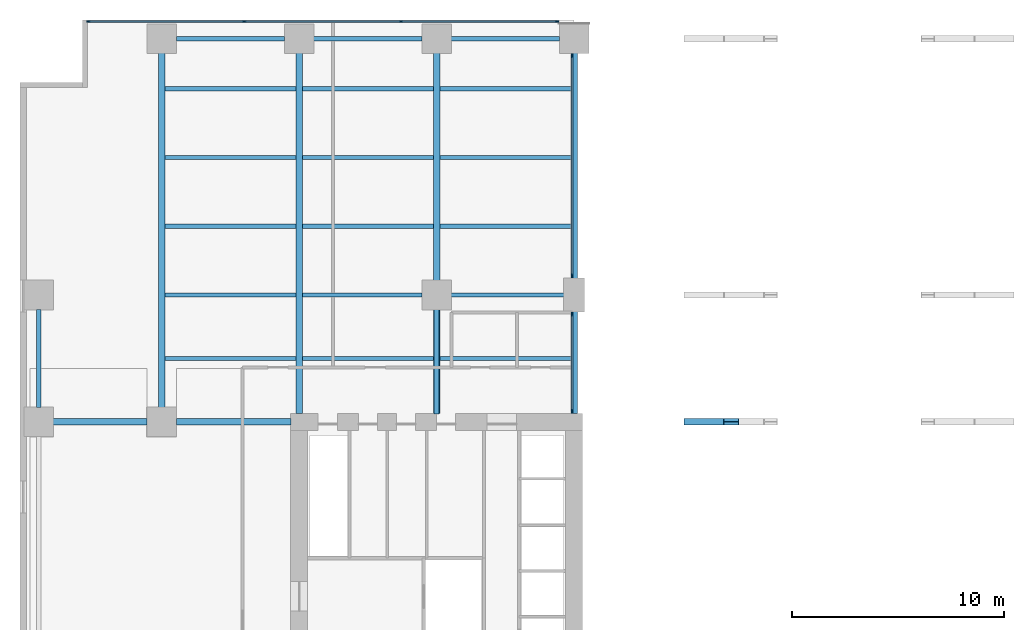
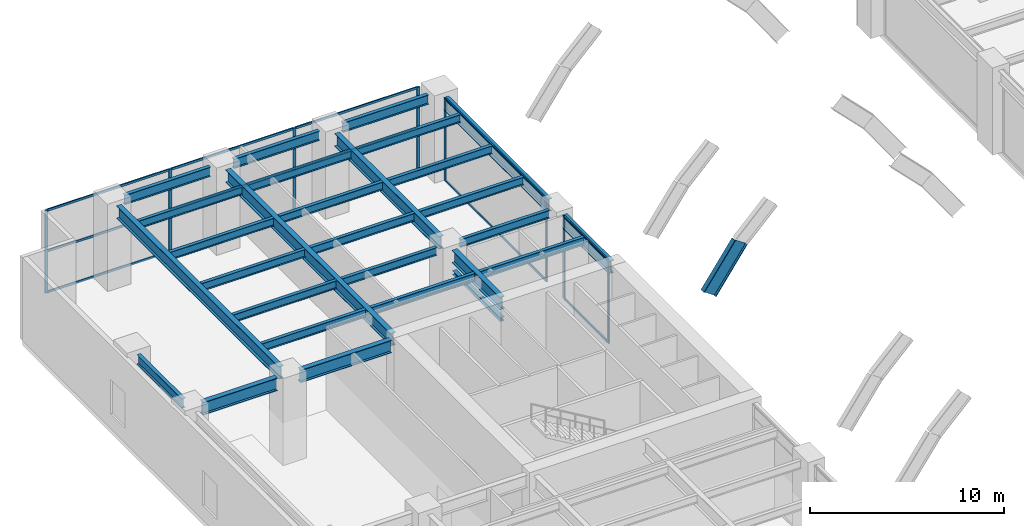
# One storey, part 5 of 18: 28 beams, 22 members, 3 elements without a shape of their own.
"""IFC4 building model written with IfcOpenShell, lengths in metres."""

from ifc_helpers import new_model, si_unit, direction, frame, origin, origin_2d, place, context, subcontext, project, spatial, rectangle, i_section, extrude, material, layer, layer_set, material_profile, profile_set, type_object, element, aggregate, save


model = new_model("IFC4")

# Units and contexts
model_context = context("Model", 3, precision=1e-05, world=origin(), true_north=direction((0.0, 1.0)))
body_context = subcontext(model_context, "Body", "Model", "MODEL_VIEW")
ifc_project = project(units=[si_unit("LENGTHUNIT", "METRE"), si_unit("AREAUNIT", "SQUARE_METRE"), si_unit("VOLUMEUNIT", "CUBIC_METRE"), si_unit("PLANEANGLEUNIT", "RADIAN"), si_unit("MASSUNIT", "GRAM", prefix="KILO")], contexts=[model_context])

# Site, building, storey
site_placement = place(None, origin())
site = spatial("IfcSite", under=ifc_project, at=site_placement, CompositionType="ELEMENT")
building_placement = place(site_placement, origin())
building = spatial("IfcBuilding", under=site, at=building_placement, Name="Putna Gate Headquarters", CompositionType="ELEMENT")
storey_placement = place(building_placement, frame((0.0, 0.0, 11.5)))
storey = spatial("IfcBuildingStorey", under=building, at=storey_placement, Name="L02", CompositionType="ELEMENT", Elevation=11.5)

# Beams
ifc_material_1 = material(Name="Steel S355J2", Category="steel")
ifc_material_profile_1 = material_profile(ifc_material_1, i_section(OverallWidth=0.300048828125, OverallDepth=0.800048828125, WebThickness=0.017578125, FlangeThickness=0.032958984375, at=origin_2d()), Name="Steel S355J2")
ifc_profile_set_1 = profile_set([ifc_material_profile_1], Name="Steel S355J2")
beam_type_1 = type_object("IfcBeamType", Name="BM-GIRD-P-HEB800", PredefinedType="USERDEFINED", material=ifc_profile_set_1)
beam_1_placement = place(storey_placement, frame((1.367919921875, 33.0, 4.820068359375), z_axis=(1.0, 0.0, 0.0), x_axis=(0.0, 1.0, 0.0)))
element("IfcBeam", 1, at=beam_1_placement, inside=storey, type_object=beam_type_1, Name="L02 West Wing Girder Y33-1", ObjectType="GIRDER", PredefinedType="USERDEFINED", context=body_context, shape_type="SweptSolid", body=[
    extrude(i_section(OverallWidth=0.300048828125, OverallDepth=0.800048828125, WebThickness=0.017578125, FlangeThickness=0.032958984375, at=origin_2d()), origin(), (0.0, 0.0, 1.0), 4.444091796875),
])
beam_2_placement = place(storey_placement, frame((7.18798828125, 33.0, 4.820068359375), z_axis=(1.0, 0.0, 0.0), x_axis=(0.0, 1.0, 0.0)))
element("IfcBeam", 2, at=beam_2_placement, inside=storey, type_object=beam_type_1, Name="L02 West Wing Girder Y33-2", ObjectType="GIRDER", PredefinedType="USERDEFINED", context=body_context, shape_type="SweptSolid", body=[
    extrude(i_section(OverallWidth=0.300048828125, OverallDepth=0.800048828125, WebThickness=0.017578125, FlangeThickness=0.032958984375, at=origin_2d()), origin(), (0.0, 0.0, 1.0), 5.427001953125),
])
beam_3_placement = place(storey_placement, frame((6.5, 33.68798828125, 4.820068359375), z_axis=(0.0, 1.0, 0.0), x_axis=(-1.0, 0.0, 0.0)))
element("IfcBeam", 3, at=beam_3_placement, inside=storey, type_object=beam_type_1, Name="L02 North Primary Girder X6", ObjectType="GIRDER", PredefinedType="USERDEFINED", context=body_context, shape_type="SweptSolid", body=[
    extrude(i_section(OverallWidth=0.300048828125, OverallDepth=0.800048828125, WebThickness=0.017578125, FlangeThickness=0.032958984375, at=origin_2d()), origin(), (0.0, 0.0, 1.0), 16.743896484375),
])
beam_4_placement = place(storey_placement, frame((13.0, 33.385009765625, 4.820068359375), z_axis=(0.0, 1.0, 0.0), x_axis=(-1.0, 0.0, 0.0)))
element("IfcBeam", 4, at=beam_4_placement, inside=storey, type_object=beam_type_1, Name="L02 North Primary Girder X13", ObjectType="GIRDER", PredefinedType="USERDEFINED", context=body_context, shape_type="SweptSolid", body=[
    extrude(i_section(OverallWidth=0.300048828125, OverallDepth=0.800048828125, WebThickness=0.017578125, FlangeThickness=0.032958984375, at=origin_2d()), origin(), (0.0, 0.0, 1.0), 17.046875),
])
beam_5_placement = place(storey_placement, frame((19.5, 33.385009765625, 4.820068359375), z_axis=(0.0, 1.0, 0.0), x_axis=(-1.0, 0.0, 0.0)))
element("IfcBeam", 5, at=beam_5_placement, inside=storey, type_object=beam_type_1, Name="L02 North Primary Girder X19-1", ObjectType="GIRDER", PredefinedType="USERDEFINED", context=body_context, shape_type="SweptSolid", body=[
    extrude(i_section(OverallWidth=0.300048828125, OverallDepth=0.800048828125, WebThickness=0.017578125, FlangeThickness=0.032958984375, at=origin_2d()), origin(), (0.0, 0.0, 1.0), 4.927001953125),
])
beam_6_placement = place(storey_placement, frame((19.5, 39.68798828125, 4.820068359375), z_axis=(0.0, 1.0, 0.0), x_axis=(-1.0, 0.0, 0.0)))
element("IfcBeam", 6, at=beam_6_placement, inside=storey, type_object=beam_type_1, Name="L02 North Primary Girder X19-2", ObjectType="GIRDER", PredefinedType="USERDEFINED", context=body_context, shape_type="SweptSolid", body=[
    extrude(i_section(OverallWidth=0.300048828125, OverallDepth=0.800048828125, WebThickness=0.017578125, FlangeThickness=0.032958984375, at=origin_2d()), origin(), (0.0, 0.0, 1.0), 10.743896484375),
])
beam_7_placement = place(storey_placement, frame((26.0, 33.385009765625, 4.820068359375), z_axis=(0.0, 1.0, 0.0), x_axis=(-1.0, 0.0, 0.0)))
element("IfcBeam", 7, at=beam_7_placement, inside=storey, type_object=beam_type_1, Name="L02 North Primary Girder X26-1", ObjectType="GIRDER", PredefinedType="USERDEFINED", context=body_context, shape_type="SweptSolid", body=[
    extrude(i_section(OverallWidth=0.300048828125, OverallDepth=0.800048828125, WebThickness=0.017578125, FlangeThickness=0.032958984375, at=origin_2d()), origin(), (0.0, 0.0, 1.0), 4.826904296875),
])
beam_8_placement = place(storey_placement, frame((26.0, 39.7880859375, 4.820068359375), z_axis=(0.0, 1.0, 0.0), x_axis=(-1.0, 0.0, 0.0)))
element("IfcBeam", 8, at=beam_8_placement, inside=storey, type_object=beam_type_1, Name="L02 North Primary Girder X26-2", ObjectType="GIRDER", PredefinedType="USERDEFINED", context=body_context, shape_type="SweptSolid", body=[
    extrude(i_section(OverallWidth=0.300048828125, OverallDepth=0.800048828125, WebThickness=0.017578125, FlangeThickness=0.032958984375, at=origin_2d()), origin(), (0.0, 0.0, 1.0), 10.643798828125),
])
ifc_material_profile_2 = material_profile(ifc_material_1, i_section(OverallWidth=0.239990234375, OverallDepth=0.239990234375, WebThickness=0.010009765625, FlangeThickness=0.01708984375, at=origin_2d()), Name="Steel S355J2")
ifc_profile_set_2 = profile_set([ifc_material_profile_2], Name="Steel S355J2")
beam_type_2 = type_object("IfcBeamType", Name="BM-LINTEL-HEB240", PredefinedType="LINTEL", material=ifc_profile_set_2)
beam_9_placement = place(storey_placement, frame((19.5, 33.3798828125, 3.800048828125), z_axis=(0.0, 1.0, 0.0), x_axis=(-1.0, 0.0, 0.0)))
element("IfcBeam", 9, at=beam_9_placement, inside=storey, type_object=beam_type_2, Name="L02 Core Spine Portal Header Lintel W", PredefinedType="LINTEL", context=body_context, shape_type="SweptSolid", body=[
    extrude(i_section(OverallWidth=0.239990234375, OverallDepth=0.239990234375, WebThickness=0.010009765625, FlangeThickness=0.01708984375, at=origin_2d()), origin(), (0.0, 0.0, 1.0), 4.940185546875),
])
ifc_material_profile_3 = material_profile(ifc_material_1, i_section(OverallWidth=0.199951171875, OverallDepth=0.5, WebThickness=0.01025390625, FlangeThickness=0.01611328125, at=origin_2d()), Name="Steel S355J2")
ifc_profile_set_3 = profile_set([ifc_material_profile_3], Name="Steel S355J2")
beam_type_3 = type_object("IfcBeamType", Name="BM-SEC-P-IPE500", PredefinedType="BEAM", material=ifc_profile_set_3)
for number, where, z_axis, x_axis, name in (
    (10, (6.654052734375, 36.0, 4.969970703125), (1.0, 0.0, 0.0), (0.0, 1.0, 0.0), "L02 North Secondary Beam 1"),
    (11, (6.654052734375, 39.0, 4.969970703125), (1.0, 0.0, 0.0), (0.0, 1.0, 0.0), "L02 North Secondary Beam 1"),
    (12, (6.654052734375, 42.25, 4.969970703125), (1.0, 0.0, 0.0), (0.0, 1.0, 0.0), "L02 North Secondary Beam 1"),
    (13, (6.654052734375, 45.5, 4.969970703125), (1.0, 0.0, 0.0), (0.0, 1.0, 0.0), "L02 North Secondary Beam 1"),
    (14, (6.654052734375, 48.75, 4.969970703125), (1.0, 0.0, 0.0), (0.0, 1.0, 0.0), "L02 North Secondary Beam 1"),
    (15, (13.154052734375, 36.0, 4.969970703125), (1.0, 0.0, 0.0), (0.0, 1.0, 0.0), "L02 North Secondary Beam 2"),
):
    element("IfcBeam", number, at=place(storey_placement, frame(where, z_axis=z_axis, x_axis=x_axis)), inside=storey, type_object=beam_type_3, Name=name, PredefinedType="BEAM", context=body_context, shape_type="SweptSolid", body=[
        extrude(i_section(OverallWidth=0.199951171875, OverallDepth=0.5, WebThickness=0.01025390625, FlangeThickness=0.01611328125, at=origin_2d()), origin(), (0.0, 0.0, 1.0), 6.19189453125),
    ])
beam_10_placement = place(storey_placement, frame((13.154052734375, 39.0, 4.969970703125), z_axis=(1.0, 0.0, 0.0), x_axis=(0.0, 1.0, 0.0)))
element("IfcBeam", 16, at=beam_10_placement, inside=storey, type_object=beam_type_3, Name="L02 North Secondary Beam 2", PredefinedType="BEAM", context=body_context, shape_type="SweptSolid", body=[
    extrude(i_section(OverallWidth=0.199951171875, OverallDepth=0.5, WebThickness=0.01025390625, FlangeThickness=0.01611328125, at=origin_2d()), origin(), (0.0, 0.0, 1.0), 5.657958984375),
])
for number, where, z_axis, x_axis, name in (
    (17, (13.154052734375, 42.25, 4.969970703125), (1.0, 0.0, 0.0), (0.0, 1.0, 0.0), "L02 North Secondary Beam 2"),
    (18, (13.154052734375, 45.5, 4.969970703125), (1.0, 0.0, 0.0), (0.0, 1.0, 0.0), "L02 North Secondary Beam 2"),
    (19, (13.154052734375, 48.75, 4.969970703125), (1.0, 0.0, 0.0), (0.0, 1.0, 0.0), "L02 North Secondary Beam 2"),
    (20, (19.654052734375, 36.0, 4.969970703125), (1.0, 0.0, 0.0), (0.0, 1.0, 0.0), "L02 North Secondary Beam 3"),
):
    element("IfcBeam", number, at=place(storey_placement, frame(where, z_axis=z_axis, x_axis=x_axis)), inside=storey, type_object=beam_type_3, Name=name, PredefinedType="BEAM", context=body_context, shape_type="SweptSolid", body=[
        extrude(i_section(OverallWidth=0.199951171875, OverallDepth=0.5, WebThickness=0.01025390625, FlangeThickness=0.01611328125, at=origin_2d()), origin(), (0.0, 0.0, 1.0), 6.19189453125),
    ])
beam_11_placement = place(storey_placement, frame((20.18798828125, 39.0, 4.969970703125), z_axis=(1.0, 0.0, 0.0), x_axis=(0.0, 1.0, 0.0)))
element("IfcBeam", 21, at=beam_11_placement, inside=storey, type_object=beam_type_3, Name="L02 North Secondary Beam 3", PredefinedType="BEAM", context=body_context, shape_type="SweptSolid", body=[
    extrude(i_section(OverallWidth=0.199951171875, OverallDepth=0.5, WebThickness=0.01025390625, FlangeThickness=0.01611328125, at=origin_2d()), origin(), (0.0, 0.0, 1.0), 5.323974609375),
])
for number, where, z_axis, x_axis, name in (
    (22, (19.654052734375, 42.25, 4.969970703125), (1.0, 0.0, 0.0), (0.0, 1.0, 0.0), "L02 North Secondary Beam 3"),
    (23, (19.654052734375, 45.5, 4.969970703125), (1.0, 0.0, 0.0), (0.0, 1.0, 0.0), "L02 North Secondary Beam 3"),
    (24, (19.654052734375, 48.75, 4.969970703125), (1.0, 0.0, 0.0), (0.0, 1.0, 0.0), "L02 North Secondary Beam 3"),
):
    element("IfcBeam", number, at=place(storey_placement, frame(where, z_axis=z_axis, x_axis=x_axis)), inside=storey, type_object=beam_type_3, Name=name, PredefinedType="BEAM", context=body_context, shape_type="SweptSolid", body=[
        extrude(i_section(OverallWidth=0.199951171875, OverallDepth=0.5, WebThickness=0.01025390625, FlangeThickness=0.01611328125, at=origin_2d()), origin(), (0.0, 0.0, 1.0), 6.19189453125),
    ])
ifc_material_profile_4 = material_profile(ifc_material_1, i_section(OverallWidth=0.219970703125, OverallDepth=0.60009765625, WebThickness=0.011962890625, FlangeThickness=0.01904296875, at=origin_2d()), Name="Steel S355J2")
ifc_profile_set_4 = profile_set([ifc_material_profile_4], Name="Steel S355J2")
beam_type_4 = type_object("IfcBeamType", Name="BM-SPAN-P-IPE600", PredefinedType="SPANDREL", material=ifc_profile_set_4)
for number, where, z_axis, x_axis, name in (
    (25, (7.18798828125, 51.1201171875, 4.919921875), (1.0, 0.0, 0.0), (0.0, 1.0, 0.0), "L02 N Perimeter Spandrel 1"),
    (26, (13.68798828125, 51.1201171875, 4.919921875), (1.0, 0.0, 0.0), (0.0, 1.0, 0.0), "L02 N Perimeter Spandrel 2"),
    (27, (20.18798828125, 51.1201171875, 4.919921875), (1.0, 0.0, 0.0), (0.0, 1.0, 0.0), "L02 N Perimeter Spandrel 3"),
):
    element("IfcBeam", number, at=place(storey_placement, frame(where, z_axis=z_axis, x_axis=x_axis)), inside=storey, type_object=beam_type_4, Name=name, PredefinedType="SPANDREL", context=body_context, shape_type="SweptSolid", body=[
        extrude(i_section(OverallWidth=0.219970703125, OverallDepth=0.60009765625, WebThickness=0.011962890625, FlangeThickness=0.01904296875, at=origin_2d()), origin(), (0.0, 0.0, 1.0), 5.1240234375),
    ])
beam_12_placement = place(storey_placement, frame((0.679931640625, 33.68798828125, 4.919921875), z_axis=(0.0, 1.0, 0.0), x_axis=(-1.0, 0.0, 0.0)))
element("IfcBeam", 28, at=beam_12_placement, inside=storey, type_object=beam_type_4, Name="L02 W End Spandrel 3", PredefinedType="SPANDREL", context=body_context, shape_type="SweptSolid", body=[
    extrude(i_section(OverallWidth=0.219970703125, OverallDepth=0.60009765625, WebThickness=0.011962890625, FlangeThickness=0.01904296875, at=origin_2d()), origin(), (0.0, 0.0, 1.0), 4.6240234375),
])

# Member
ifc_material_2 = material(Name="Steel S460M", Category="steel")
ifc_material_profile_5 = material_profile(ifc_material_2, i_section(OverallWidth=0.302001953125, OverallDepth=0.909912109375, WebThickness=0.02099609375, FlangeThickness=0.0400390625, at=origin_2d()), Name="Steel S460M")
ifc_profile_set_5 = profile_set([ifc_material_profile_5], Name="Steel S460M")
member_type_1 = type_object("IfcMemberType", Name="MEM-ARCH-CHORD-INT-HEM900", PredefinedType="STRUT", material=ifc_profile_set_5)
member_1_placement = place(storey_placement, frame((31.5712890625, 33.0, 1.44189453125), z_axis=(0.577111975732, 0.0, 0.816665027699), x_axis=(0.0, 1.0, 0.0)))
element("IfcMember", 29, at=member_1_placement, inside=storey, type_object=member_type_1, Name="Giant Parabolic Arch Chord AN-4", PredefinedType="STRUT", context=body_context, shape_type="SweptSolid", body=[
    extrude(i_section(OverallWidth=0.302001953125, OverallDepth=0.909912109375, WebThickness=0.02099609375, FlangeThickness=0.0400390625, at=origin_2d()), origin(), (0.0, 0.0, 1.0), 3.218505859375),
])

# Curtain wall, members
ifc_material_3 = material(Name="Anodised bronze aluminium curtain wall", Category="aluminium")
ifc_layer_1 = layer(ifc_material_3, 0.179931640625)
ifc_layer_set_1 = layer_set([ifc_layer_1], Name="Anodised bronze aluminium curtain wall")
curtain_wall_type_1 = type_object("IfcCurtainWallType", Name="CW-SYS-ATR", PredefinedType="USERDEFINED", material=ifc_layer_set_1)
curtain_wall_1_placement = place(storey_placement, origin())
curtain_wall_1 = element("IfcCurtainWall", 30, at=curtain_wall_1_placement, inside=storey, type_object=curtain_wall_type_1, Name="L02 Arch Flank Glazing W-N1", ObjectType="ATRIUM GLAZING", PredefinedType="USERDEFINED")
ifc_material_4 = material(Name="Anodised bronze aluminium EN AW-6060", Category="aluminium")
ifc_material_profile_6 = material_profile(ifc_material_4, rectangle(XDim=0.070068359375, YDim=0.179931640625, at=origin_2d()), Name="Anodised bronze aluminium EN AW-6060")
ifc_profile_set_6 = profile_set([ifc_material_profile_6], Name="Anodised bronze aluminium EN AW-6060")
member_type_2 = type_object("IfcMemberType", Name="MULL-CWM-AT", PredefinedType="MULLION", material=ifc_profile_set_6)
member_2_placement = place(storey_placement, frame((25.89990234375, 33.514892578125, 0.0), z_axis=(0.0, 0.0, 1.0), x_axis=(-1.0, 0.0, 0.0)))
member_2 = element("IfcMember", 31, at=member_2_placement, type_object=member_type_2, Name="CWS-AT mullion 1", PredefinedType="MULLION", context=body_context, shape_type="SweptSolid", body=[
    extrude(rectangle(XDim=0.070068359375, YDim=0.179931640625, at=origin_2d()), origin(), (0.0, 0.0, 1.0), 5.219970703125),
])
member_3_placement = place(storey_placement, frame((25.89990234375, 38.0849609375, 0.0), z_axis=(0.0, 0.0, 1.0), x_axis=(-1.0, 0.0, 0.0)))
member_3 = element("IfcMember", 32, at=member_3_placement, type_object=member_type_2, Name="CWS-AT mullion 2", PredefinedType="MULLION", context=body_context, shape_type="SweptSolid", body=[
    extrude(rectangle(XDim=0.070068359375, YDim=0.179931640625, at=origin_2d()), origin(), (0.0, 0.0, 1.0), 5.219970703125),
])

curtain_wall_2_placement = place(storey_placement, origin())
curtain_wall_2 = element("IfcCurtainWall", 33, at=curtain_wall_2_placement, inside=storey, type_object=curtain_wall_type_1, Name="L02 Arch Flank Glazing W-N2", ObjectType="ATRIUM GLAZING", PredefinedType="USERDEFINED")
member_4_placement = place(storey_placement, frame((25.89990234375, 39.9150390625, 0.0), z_axis=(0.0, 0.0, 1.0), x_axis=(-1.0, 0.0, 0.0)))
member_4 = element("IfcMember", 34, at=member_4_placement, type_object=member_type_2, Name="CWS-AT mullion 1", PredefinedType="MULLION", context=body_context, shape_type="SweptSolid", body=[
    extrude(rectangle(XDim=0.070068359375, YDim=0.179931640625, at=origin_2d()), origin(), (0.0, 0.0, 1.0), 5.219970703125),
])
member_5_placement = place(storey_placement, frame((25.89990234375, 50.31494140625, 0.0), z_axis=(0.0, 0.0, 1.0), x_axis=(-1.0, 0.0, 0.0)))
member_5 = element("IfcMember", 35, at=member_5_placement, type_object=member_type_2, Name="CWS-AT mullion 2", PredefinedType="MULLION", context=body_context, shape_type="SweptSolid", body=[
    extrude(rectangle(XDim=0.070068359375, YDim=0.179931640625, at=origin_2d()), origin(), (0.0, 0.0, 1.0), 5.219970703125),
])

ifc_layer_2 = layer(ifc_material_3, 0.179931640625)
ifc_layer_set_2 = layer_set([ifc_layer_2], Name="Anodised bronze aluminium curtain wall")
curtain_wall_type_2 = type_object("IfcCurtainWallType", Name="CW-SYS-POD", PredefinedType="USERDEFINED", material=ifc_layer_set_2)
curtain_wall_3_placement = place(storey_placement, origin())
curtain_wall_3 = element("IfcCurtainWall", 36, at=curtain_wall_3_placement, inside=storey, type_object=curtain_wall_type_2, Name="L02 North West Curtain Wall", ObjectType="STICK CURTAIN WALL", PredefinedType="USERDEFINED")
ifc_material_profile_7 = material_profile(ifc_material_4, rectangle(XDim=0.070068359375, YDim=0.179931640625, at=origin_2d()), Name="Anodised bronze aluminium EN AW-6060")
ifc_profile_set_7 = profile_set([ifc_material_profile_7], Name="Anodised bronze aluminium EN AW-6060")
member_type_3 = type_object("IfcMemberType", Name="MULL-CWM-P", PredefinedType="MULLION", material=ifc_profile_set_7)
member_6_placement = place(storey_placement, frame((3.034912109375, 51.919921875, 0.0), z_axis=(0.0, 0.0, 1.0), x_axis=(0.0, 1.0, 0.0)))
member_6 = element("IfcMember", 37, at=member_6_placement, type_object=member_type_3, Name="CWS-P mullion 1", PredefinedType="MULLION", context=body_context, shape_type="SweptSolid", body=[
    extrude(rectangle(XDim=0.070068359375, YDim=0.179931640625, at=origin_2d()), origin(), (0.0, 0.0, 1.0), 5.219970703125),
])
member_7_placement = place(storey_placement, frame((10.40673828125, 51.919921875, 0.0), z_axis=(0.0, 0.0, 1.0), x_axis=(0.0, 1.0, 0.0)))
member_7 = element("IfcMember", 38, at=member_7_placement, type_object=member_type_3, Name="CWS-P mullion 2", PredefinedType="MULLION", context=body_context, shape_type="SweptSolid", body=[
    extrude(rectangle(XDim=0.070068359375, YDim=0.179931640625, at=origin_2d()), origin(), (0.0, 0.0, 1.0), 5.219970703125),
])
member_8_placement = place(storey_placement, frame((17.813232421875, 51.919921875, 0.0), z_axis=(0.0, 0.0, 1.0), x_axis=(0.0, 1.0, 0.0)))
member_8 = element("IfcMember", 39, at=member_8_placement, type_object=member_type_3, Name="CWS-P mullion 3", PredefinedType="MULLION", context=body_context, shape_type="SweptSolid", body=[
    extrude(rectangle(XDim=0.070068359375, YDim=0.179931640625, at=origin_2d()), origin(), (0.0, 0.0, 1.0), 5.219970703125),
])
member_9_placement = place(storey_placement, frame((25.18505859375, 51.919921875, 0.0), z_axis=(0.0, 0.0, 1.0), x_axis=(0.0, 1.0, 0.0)))
member_9 = element("IfcMember", 40, at=member_9_placement, type_object=member_type_3, Name="CWS-P mullion 4", PredefinedType="MULLION", context=body_context, shape_type="SweptSolid", body=[
    extrude(rectangle(XDim=0.070068359375, YDim=0.179931640625, at=origin_2d()), origin(), (0.0, 0.0, 1.0), 5.219970703125),
])

# Member
ifc_material_profile_8 = material_profile(ifc_material_4, rectangle(XDim=0.070068359375, YDim=0.139892578125, at=origin_2d()), Name="Anodised bronze aluminium EN AW-6060")
ifc_profile_set_8 = profile_set([ifc_material_profile_8], Name="Anodised bronze aluminium EN AW-6060")
member_type_4 = type_object("IfcMemberType", Name="TRAN-CWT-AT", PredefinedType="USERDEFINED", material=ifc_profile_set_8)
member_10_placement = place(storey_placement, frame((25.89990234375, 33.550048828125, 0.034912109375), z_axis=(0.0, 1.0, 0.0), x_axis=(-1.0, 0.0, 0.0)))
member_10 = element("IfcMember", 41, at=member_10_placement, type_object=member_type_4, Name="CWS-AT transom 1.1", ObjectType="TRANSOM", PredefinedType="USERDEFINED", context=body_context, shape_type="SweptSolid", body=[
    extrude(rectangle(XDim=0.070068359375, YDim=0.139892578125, at=origin_2d()), origin(), (0.0, 0.0, 1.0), 4.5),
])

member_11_placement = place(storey_placement, frame((25.89990234375, 33.550048828125, 5.18505859375), z_axis=(0.0, 1.0, 0.0), x_axis=(-1.0, 0.0, 0.0)))
member_11 = element("IfcMember", 42, at=member_11_placement, type_object=member_type_4, Name="CWS-AT transom 1.2", ObjectType="TRANSOM", PredefinedType="USERDEFINED", context=body_context, shape_type="SweptSolid", body=[
    extrude(rectangle(XDim=0.070068359375, YDim=0.139892578125, at=origin_2d()), origin(), (0.0, 0.0, 1.0), 4.5),
])

aggregate(curtain_wall_1, [member_2, member_3, member_10, member_11])

member_12_placement = place(storey_placement, frame((25.89990234375, 39.949951171875, 0.034912109375), z_axis=(0.0, 1.0, 0.0), x_axis=(-1.0, 0.0, 0.0)))
member_12 = element("IfcMember", 43, at=member_12_placement, type_object=member_type_4, Name="CWS-AT transom 1.1", ObjectType="TRANSOM", PredefinedType="USERDEFINED", context=body_context, shape_type="SweptSolid", body=[
    extrude(rectangle(XDim=0.070068359375, YDim=0.139892578125, at=origin_2d()), origin(), (0.0, 0.0, 1.0), 10.330078125),
])

member_13_placement = place(storey_placement, frame((25.89990234375, 39.949951171875, 5.18505859375), z_axis=(0.0, 1.0, 0.0), x_axis=(-1.0, 0.0, 0.0)))
member_13 = element("IfcMember", 44, at=member_13_placement, type_object=member_type_4, Name="CWS-AT transom 1.2", ObjectType="TRANSOM", PredefinedType="USERDEFINED", context=body_context, shape_type="SweptSolid", body=[
    extrude(rectangle(XDim=0.070068359375, YDim=0.139892578125, at=origin_2d()), origin(), (0.0, 0.0, 1.0), 10.330078125),
])

aggregate(curtain_wall_2, [member_4, member_5, member_12, member_13])

ifc_material_profile_9 = material_profile(ifc_material_4, rectangle(XDim=0.070068359375, YDim=0.139892578125, at=origin_2d()), Name="Anodised bronze aluminium EN AW-6060")
ifc_profile_set_9 = profile_set([ifc_material_profile_9], Name="Anodised bronze aluminium EN AW-6060")
member_type_5 = type_object("IfcMemberType", Name="TRAN-CWT-P", PredefinedType="USERDEFINED", material=ifc_profile_set_9)
member_14_placement = place(storey_placement, frame((3.070068359375, 51.919921875, 0.034912109375), z_axis=(1.0, 0.0, 0.0), x_axis=(0.0, 1.0, 0.0)))
member_14 = element("IfcMember", 45, at=member_14_placement, type_object=member_type_5, Name="CWS-P transom 1.1", ObjectType="TRANSOM", PredefinedType="USERDEFINED", context=body_context, shape_type="SweptSolid", body=[
    extrude(rectangle(XDim=0.070068359375, YDim=0.139892578125, at=origin_2d()), origin(), (0.0, 0.0, 1.0), 7.301513671875),
])

member_15_placement = place(storey_placement, frame((3.070068359375, 51.919921875, 2.610107421875), z_axis=(1.0, 0.0, 0.0), x_axis=(0.0, 1.0, 0.0)))
member_15 = element("IfcMember", 46, at=member_15_placement, type_object=member_type_5, Name="CWS-P transom 1.2", ObjectType="TRANSOM", PredefinedType="USERDEFINED", context=body_context, shape_type="SweptSolid", body=[
    extrude(rectangle(XDim=0.070068359375, YDim=0.139892578125, at=origin_2d()), origin(), (0.0, 0.0, 1.0), 7.301513671875),
])

member_16_placement = place(storey_placement, frame((3.070068359375, 51.919921875, 5.18505859375), z_axis=(1.0, 0.0, 0.0), x_axis=(0.0, 1.0, 0.0)))
member_16 = element("IfcMember", 47, at=member_16_placement, type_object=member_type_5, Name="CWS-P transom 1.3", ObjectType="TRANSOM", PredefinedType="USERDEFINED", context=body_context, shape_type="SweptSolid", body=[
    extrude(rectangle(XDim=0.070068359375, YDim=0.139892578125, at=origin_2d()), origin(), (0.0, 0.0, 1.0), 7.301513671875),
])

member_17_placement = place(storey_placement, frame((10.441650390625, 51.919921875, 0.034912109375), z_axis=(1.0, 0.0, 0.0), x_axis=(0.0, 1.0, 0.0)))
member_17 = element("IfcMember", 48, at=member_17_placement, type_object=member_type_5, Name="CWS-P transom 2.1", ObjectType="TRANSOM", PredefinedType="USERDEFINED", context=body_context, shape_type="SweptSolid", body=[
    extrude(rectangle(XDim=0.070068359375, YDim=0.139892578125, at=origin_2d()), origin(), (0.0, 0.0, 1.0), 7.336669921875),
])

member_18_placement = place(storey_placement, frame((10.441650390625, 51.919921875, 2.610107421875), z_axis=(1.0, 0.0, 0.0), x_axis=(0.0, 1.0, 0.0)))
member_18 = element("IfcMember", 49, at=member_18_placement, type_object=member_type_5, Name="CWS-P transom 2.2", ObjectType="TRANSOM", PredefinedType="USERDEFINED", context=body_context, shape_type="SweptSolid", body=[
    extrude(rectangle(XDim=0.070068359375, YDim=0.139892578125, at=origin_2d()), origin(), (0.0, 0.0, 1.0), 7.336669921875),
])

member_19_placement = place(storey_placement, frame((10.441650390625, 51.919921875, 5.18505859375), z_axis=(1.0, 0.0, 0.0), x_axis=(0.0, 1.0, 0.0)))
member_19 = element("IfcMember", 50, at=member_19_placement, type_object=member_type_5, Name="CWS-P transom 2.3", ObjectType="TRANSOM", PredefinedType="USERDEFINED", context=body_context, shape_type="SweptSolid", body=[
    extrude(rectangle(XDim=0.070068359375, YDim=0.139892578125, at=origin_2d()), origin(), (0.0, 0.0, 1.0), 7.336669921875),
])

member_20_placement = place(storey_placement, frame((17.848388671875, 51.919921875, 0.034912109375), z_axis=(1.0, 0.0, 0.0), x_axis=(0.0, 1.0, 0.0)))
member_20 = element("IfcMember", 51, at=member_20_placement, type_object=member_type_5, Name="CWS-P transom 3.1", ObjectType="TRANSOM", PredefinedType="USERDEFINED", context=body_context, shape_type="SweptSolid", body=[
    extrude(rectangle(XDim=0.070068359375, YDim=0.139892578125, at=origin_2d()), origin(), (0.0, 0.0, 1.0), 7.301513671875),
])

member_21_placement = place(storey_placement, frame((17.848388671875, 51.919921875, 2.610107421875), z_axis=(1.0, 0.0, 0.0), x_axis=(0.0, 1.0, 0.0)))
member_21 = element("IfcMember", 52, at=member_21_placement, type_object=member_type_5, Name="CWS-P transom 3.2", ObjectType="TRANSOM", PredefinedType="USERDEFINED", context=body_context, shape_type="SweptSolid", body=[
    extrude(rectangle(XDim=0.070068359375, YDim=0.139892578125, at=origin_2d()), origin(), (0.0, 0.0, 1.0), 7.301513671875),
])

member_22_placement = place(storey_placement, frame((17.848388671875, 51.919921875, 5.18505859375), z_axis=(1.0, 0.0, 0.0), x_axis=(0.0, 1.0, 0.0)))
member_22 = element("IfcMember", 53, at=member_22_placement, type_object=member_type_5, Name="CWS-P transom 3.3", ObjectType="TRANSOM", PredefinedType="USERDEFINED", context=body_context, shape_type="SweptSolid", body=[
    extrude(rectangle(XDim=0.070068359375, YDim=0.139892578125, at=origin_2d()), origin(), (0.0, 0.0, 1.0), 7.301513671875),
])

aggregate(curtain_wall_3, [member_6, member_7, member_8, member_9, member_14, member_15, member_16, member_17, member_18, member_19, member_20, member_21, member_22])

save(model, "model.ifc")
